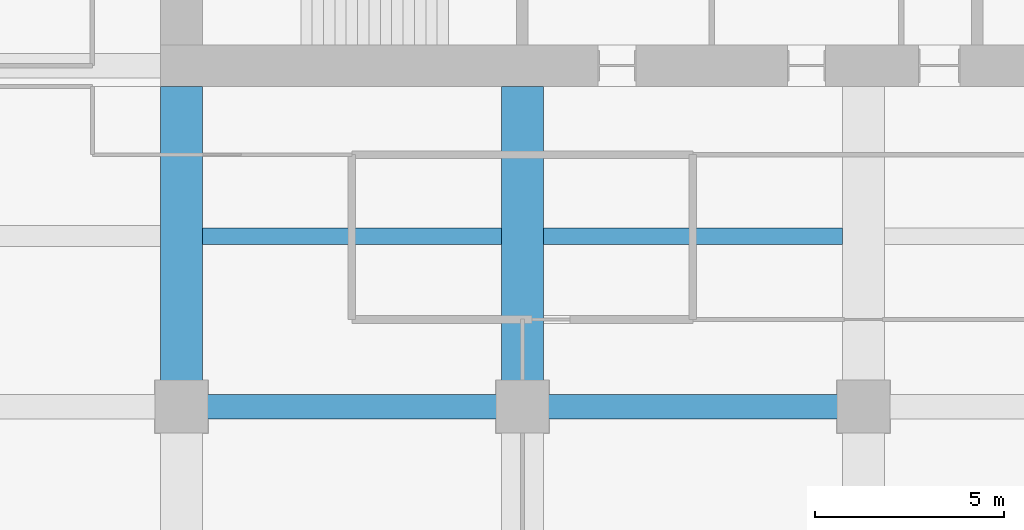
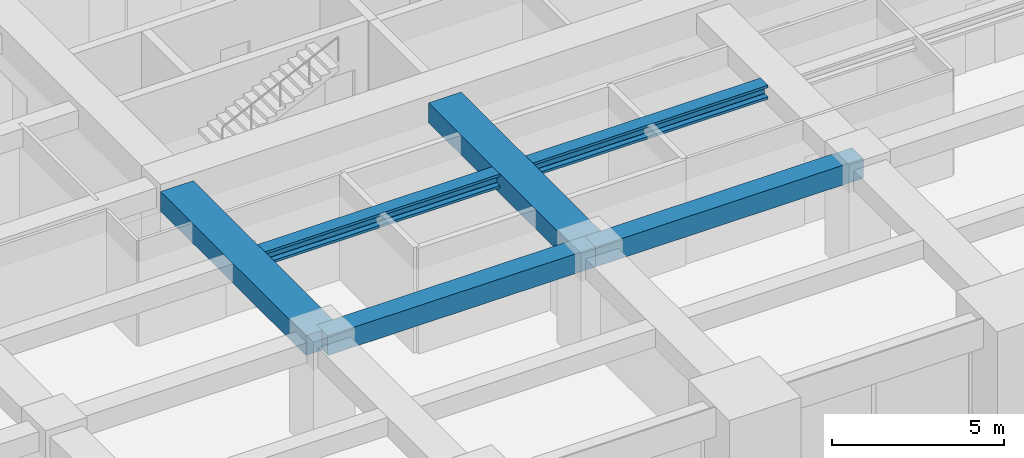
# One storey, part 8 of 32: 6 beams.
"""IFC4 building model written with IfcOpenShell, lengths in metres."""

from ifc_helpers import new_model, si_unit, direction, frame, origin, origin_2d, place, context, subcontext, project, spatial, rectangle, i_section, extrude, material, material_profile, profile_set, type_object, element, save


model = new_model("IFC4")

# Units and contexts
model_context = context("Model", 3, precision=1e-05, world=origin(), true_north=direction((0.0, 1.0)))
body_context = subcontext(model_context, "Body", "Model", "MODEL_VIEW")
ifc_project = project(units=[si_unit("LENGTHUNIT", "METRE"), si_unit("AREAUNIT", "SQUARE_METRE"), si_unit("VOLUMEUNIT", "CUBIC_METRE"), si_unit("PLANEANGLEUNIT", "RADIAN"), si_unit("MASSUNIT", "GRAM", prefix="KILO")], contexts=[model_context])

# Site, building, storey
site_placement = place(None, origin())
site = spatial("IfcSite", under=ifc_project, at=site_placement, CompositionType="ELEMENT")
building_placement = place(site_placement, origin())
building = spatial("IfcBuilding", under=site, at=building_placement, Name="Zorevar Civic Tower", CompositionType="ELEMENT")
storey_placement = place(building_placement, frame((0.0, 0.0, 202.199951171875)))
storey = spatial("IfcBuildingStorey", under=building, at=storey_placement, Name="L49", CompositionType="ELEMENT", Elevation=202.199951171875)

# Beams
ifc_material_1 = material(Name="Concrete C50/60", Category="concrete")
ifc_material_profile_1 = material_profile(ifc_material_1, rectangle(XDim=1.10009765625, YDim=0.699951171875, at=origin_2d()), Name="RC 1100x700")
ifc_profile_set_1 = profile_set([ifc_material_profile_1], Name="Concrete C50/60")
beam_type_1 = type_object("IfcBeamType", Name="Beam RC 1100x700", PredefinedType="BEAM", material=ifc_profile_set_1)
for number, where, z_axis, x_axis, name in (
    (1, (18.0, 9.0, 3.400146484375), (0.0, 1.0, 0.0), (-1.0, 0.0, 0.0), "Girder L50"),
    (2, (27.0, 9.0, 3.400146484375), (0.0, 1.0, 0.0), (-1.0, 0.0, 0.0), "Girder L50"),
):
    element("IfcBeam", number, at=place(storey_placement, frame(where, z_axis=z_axis, x_axis=x_axis)), inside=storey, type_object=beam_type_1, Name=name, PredefinedType="BEAM", context=body_context, shape_type="SweptSolid", body=[
        extrude(rectangle(XDim=1.10009765625, YDim=0.699951171875, at=origin_2d()), origin(), (0.0, 0.0, 1.0), 8.449951171875),
    ])
ifc_material_2 = material(Name="Concrete C50/60", Category="concrete")
ifc_material_profile_2 = material_profile(ifc_material_2, rectangle(XDim=0.64990234375, YDim=0.699951171875, at=origin_2d()), Name="RC 650x700")
ifc_profile_set_2 = profile_set([ifc_material_profile_2], Name="Concrete C50/60")
beam_type_2 = type_object("IfcBeamType", Name="Beam RC 650x700", PredefinedType="BEAM", material=ifc_profile_set_2)
for number, where, z_axis, x_axis, name in (
    (3, (18.0, 9.0, 3.400146484375), (1.0, 0.0, 0.0), (0.0, 1.0, 0.0), "Girder L50"),
    (4, (27.0, 9.0, 3.400146484375), (1.0, 0.0, 0.0), (0.0, 1.0, 0.0), "Girder L50"),
):
    element("IfcBeam", number, at=place(storey_placement, frame(where, z_axis=z_axis, x_axis=x_axis)), inside=storey, type_object=beam_type_2, Name=name, PredefinedType="BEAM", context=body_context, shape_type="SweptSolid", body=[
        extrude(rectangle(XDim=0.64990234375, YDim=0.699951171875, at=origin_2d()), origin(), (0.0, 0.0, 1.0), 9.0),
    ])
ifc_material_3 = material(Name="Steel S460M (HISTAR 460)", Category="steel")
ifc_material_profile_3 = material_profile(ifc_material_3, i_section(OverallWidth=0.431884765625, OverallDepth=0.498046875, WebThickness=0.0556640625, FlangeThickness=0.0888671875, FilletRadius=0.014892578125, at=origin_2d()), Name="HD 400x744")
ifc_profile_set_3 = profile_set([ifc_material_profile_3], Name="Steel S460M (HISTAR 460)")
beam_type_3 = type_object("IfcBeamType", Name="Core bay beam HD 400x744", PredefinedType="BEAM", material=ifc_profile_set_3)
for number, where, z_axis, x_axis, name in (
    (5, (18.550048828125, 13.5, 3.5009765625), (1.0, 0.0, 0.0), (0.0, 1.0, 0.0), "Secondary beam L50"),
    (6, (27.550048828125, 13.5, 3.5009765625), (1.0, 0.0, 0.0), (0.0, 1.0, 0.0), "Secondary beam L50"),
):
    element("IfcBeam", number, at=place(storey_placement, frame(where, z_axis=z_axis, x_axis=x_axis)), inside=storey, type_object=beam_type_3, Name=name, PredefinedType="BEAM", context=body_context, shape_type="SweptSolid", body=[
        extrude(i_section(OverallWidth=0.431884765625, OverallDepth=0.498046875, WebThickness=0.0556640625, FlangeThickness=0.0888671875, FilletRadius=0.014892578125, at=origin_2d()), origin(), (0.0, 0.0, 1.0), 7.89990234375),
    ])

save(model, "model.ifc")
